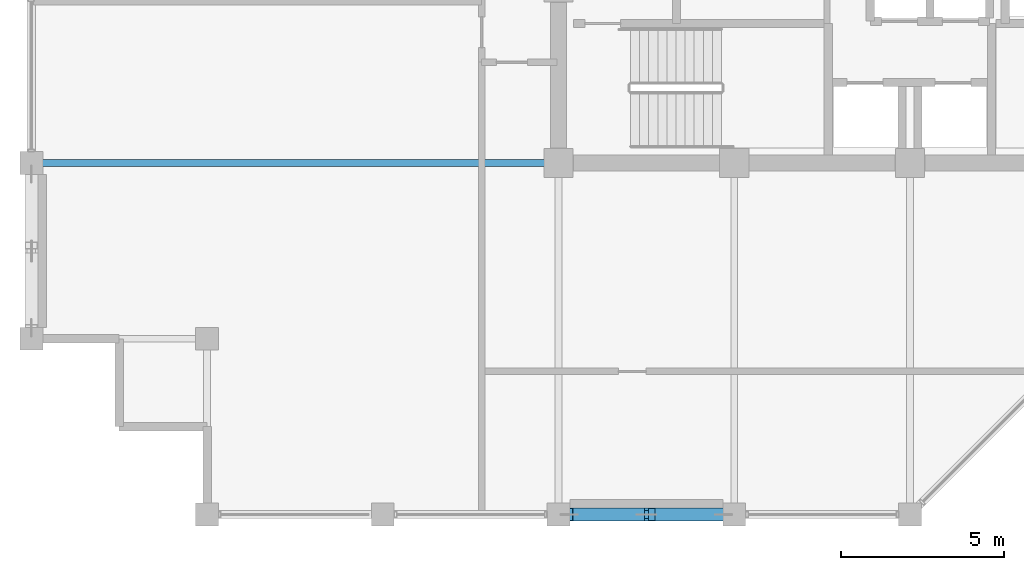
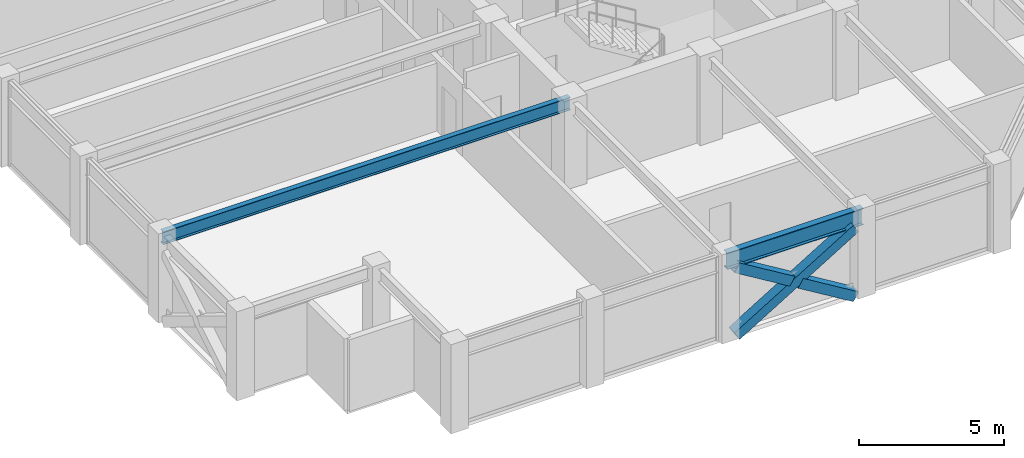
# One storey, part 5 of 30: 3 members, 2 beams.
"""IFC4 building model written with IfcOpenShell, lengths in metres."""

import ifcopenshell
import ifcopenshell.guid

model = None  # the IFC model being written
_history = None  # IfcOwnerHistory: only IFC2X3 demands one
_inside = {}  # id of a spatial element -> (the spatial element, [elements in it])
_under = {}  # id of a project, library or spatial element -> (it, [spatial elements below it])
_declared = {}  # id of a project -> (the project, [libraries it declares])
_typed = {}  # id of a type object -> (the type object, [elements of that type])
_made_of = {}  # id of a material, layer set ... -> (it, [elements and type objects made of it])


def new_model(schema):
    """Start an empty IFC model of exactly this schema.

    Asked for "IFC4X3", IfcOpenShell would pick the latest addendum, in which some entities
    have other attributes; the version numbers below select the first issue.
    IFC2X3 requires an IfcOwnerHistory on every rooted entity: one is made here for all.
    """
    global model, _history
    if schema == "IFC4X3":
        model = ifcopenshell.file(schema_version=(4, 3, 0, 0))
    else:
        model = ifcopenshell.file(schema=schema)
    _inside.clear()
    _under.clear()
    _declared.clear()
    _typed.clear()
    _made_of.clear()
    _history = None
    if model.schema == "IFC2X3":
        org = make("IfcOrganization", Name="unknown")
        user = make(
            "IfcPersonAndOrganization",
            ThePerson=make("IfcPerson", FamilyName="unknown"),
            TheOrganization=org,
        )
        app = make(
            "IfcApplication",
            ApplicationDeveloper=org,
            Version="unknown",
            ApplicationFullName="unknown",
            ApplicationIdentifier="unknown",
        )
        _history = make(
            "IfcOwnerHistory",
            OwningUser=user,
            OwningApplication=app,
            ChangeAction="ADDED",
            CreationDate=0,
        )
    return model


def make(cls, **values):
    """One entity of the class cls with the attributes given. An attribute that is None is left unset."""
    return model.create_entity(
        cls, **{name: value for name, value in values.items() if value is not None}
    )


def rooted(cls, **values):
    """An entity with a GlobalId (a new one), such as an element, a storey or a relation."""
    return make(cls, GlobalId=ifcopenshell.guid.new(), OwnerHistory=_history, **values)


def si_unit(unit_type, name, prefix=None):
    """IfcSIUnit, for example si_unit("LENGTHUNIT", "METRE", prefix="MILLI")."""
    return make("IfcSIUnit", UnitType=unit_type, Prefix=prefix, Name=name)


def assignment(units):
    """IfcUnitAssignment: the units of a project."""
    return None if units is None else make("IfcUnitAssignment", Units=units)


def point(xyz):
    """IfcCartesianPoint."""
    return None if xyz is None else make("IfcCartesianPoint", Coordinates=xyz)


def direction(xyz):
    """IfcDirection."""
    return None if xyz is None else make("IfcDirection", DirectionRatios=xyz)


def frame(location, z_axis=None, x_axis=None):
    """IfcAxis2Placement3D, a coordinate frame: its origin and axes. An axis left out is left unset."""
    return make(
        "IfcAxis2Placement3D",
        Location=point(location),
        Axis=direction(z_axis),
        RefDirection=direction(x_axis),
    )


def frame_2d(location, x_axis=None):
    """IfcAxis2Placement2D, a coordinate frame in the plane: its origin and x axis."""
    return make(
        "IfcAxis2Placement2D", Location=point(location), RefDirection=direction(x_axis)
    )


def origin():
    """The frame at (0, 0, 0) with its axes left unset."""
    return frame((0.0, 0.0, 0.0))


def origin_2d():
    """The frame at (0, 0) in the plane with its x axis left unset."""
    return frame_2d((0.0, 0.0))


def place(relative_to, where):
    """IfcLocalPlacement: puts the frame where relative to a parent placement (None: the world)."""
    return make(
        "IfcLocalPlacement", PlacementRelTo=relative_to, RelativePlacement=where
    )


def context(
    kind, dimensions, precision=None, world=None, true_north=None, identifier=None
):
    """IfcGeometricRepresentationContext, for example the 3D "Model" context."""
    return make(
        "IfcGeometricRepresentationContext",
        ContextIdentifier=identifier,
        ContextType=kind,
        CoordinateSpaceDimension=dimensions,
        Precision=precision,
        WorldCoordinateSystem=world,
        TrueNorth=true_north,
    )


def subcontext(parent, identifier, kind, view, scale=None):
    """IfcGeometricRepresentationSubContext, for example "Body" below "Model"."""
    return make(
        "IfcGeometricRepresentationSubContext",
        ContextIdentifier=identifier,
        ContextType=kind,
        ParentContext=parent,
        TargetScale=scale,
        TargetView=view,
    )


def project(units=None, contexts=None):
    """IfcProject with its units and contexts."""
    return rooted(
        "IfcProject",
        Name="project",
        RepresentationContexts=contexts,
        UnitsInContext=assignment(units),
    )


def spatial(cls, under=None, at=None, **own):
    """A site, building, storey or space (cls), placed at a placement, below another one or the project."""
    s = rooted(cls, ObjectPlacement=at, **own)
    if under is not None:
        _under.setdefault(under.id(), (under, []))[1].append(s)
    return s


def profile(cls, at=None, kind="AREA", **sizes):
    """A parametric profile (cls). Its sizes go by their IFC names, for example OverallWidth=200.0."""
    return make(cls, ProfileType=kind, Position=at, **sizes)


def hollow_rectangle(**sizes):
    """IfcRectangleHollowProfileDef."""
    return profile("IfcRectangleHollowProfileDef", **sizes)


def i_section(**sizes):
    """IfcIShapeProfileDef."""
    return profile("IfcIShapeProfileDef", **sizes)


def extrude(swept, where, along, depth):
    """IfcExtrudedAreaSolid: the profile swept, set in the frame where, extruded along a direction by depth."""
    return make(
        "IfcExtrudedAreaSolid",
        SweptArea=swept,
        Position=where,
        ExtrudedDirection=direction(along),
        Depth=depth,
    )


def shape(context_of_items, identifier, shape_type, items):
    """IfcShapeRepresentation: the items that make up one representation, for example the "Body"."""
    return make(
        "IfcShapeRepresentation",
        ContextOfItems=context_of_items,
        RepresentationIdentifier=identifier,
        RepresentationType=shape_type,
        Items=items,
    )


def material(Name=None, Category=None):
    """IfcMaterial."""
    return make("IfcMaterial", Name=Name, Category=Category)


def material_profile(
    of_material, cross_section, Name=None, Category=None, Priority=None
):
    """IfcMaterialProfile: a cross section and its material."""
    return make(
        "IfcMaterialProfile",
        Name=Name,
        Material=of_material,
        Profile=cross_section,
        Priority=Priority,
        Category=Category,
    )


def profile_set(profiles, Name=None, composite=None):
    """IfcMaterialProfileSet."""
    return make(
        "IfcMaterialProfileSet",
        Name=Name,
        MaterialProfiles=profiles,
        CompositeProfile=composite,
    )


def made_of(thing, what):
    """Note that an element or type object is made of a material, layer set ...; save() writes the relation."""
    if what is not None:
        _made_of.setdefault(what.id(), (what, []))[1].append(thing)
    return thing


def type_object(cls, material=None, **own):
    """A type object (cls), such as IfcWallType, which elements share."""
    return made_of(rooted(cls, **own), material)


def element(
    cls,
    number,
    at=None,
    inside=None,
    cuts=None,
    type_object=None,
    material=None,
    context=None,
    identifier="Body",
    shape_type=None,
    held_by="IfcProductDefinitionShape",
    body=None,
    shapes=None,
    **own,
):
    """One element of the class cls, such as IfcWall. Its Tag is "e" and its number.

    at: its placement. inside: the storey or other place that contains it. cuts: it is an
    opening in that element (IfcRelVoidsElement). A single representation is given by context,
    identifier, shape_type and body (its items); several are given by shapes. held_by: the class
    of the entity that holds the representations. save() writes the other relations.
    """
    e = rooted(cls, Tag="e%d" % number, ObjectPlacement=at, **own)
    if body is not None:
        shapes = [shape(context, identifier, shape_type, body)]
    if shapes is not None:
        e.Representation = make(held_by, Representations=shapes)
    if inside is not None:
        _inside.setdefault(inside.id(), (inside, []))[1].append(e)
    if cuts is not None:
        rooted(
            "IfcRelVoidsElement", RelatingBuildingElement=cuts, RelatedOpeningElement=e
        )
    if type_object is not None:
        _typed.setdefault(type_object.id(), (type_object, []))[1].append(e)
    return made_of(e, material)


def aggregate(whole, parts):
    """IfcRelAggregates: a whole, such as a stair, and the parts it consists of."""
    return rooted("IfcRelAggregates", RelatingObject=whole, RelatedObjects=parts)


def save(model, path):
    """Write the relations noted so far, then the file.

    IfcRelAggregates (storeys below a building ...), IfcRelContainedInSpatialStructure (elements
    in a storey), IfcRelDefinesByType, IfcRelAssociatesMaterial and IfcRelDeclares: one each for
    every whole, place, type object, material and project.
    """
    for whole, parts in _under.values():
        aggregate(whole, parts)
    for where, things in _inside.values():
        rooted(
            "IfcRelContainedInSpatialStructure",
            RelatedElements=things,
            RelatingStructure=where,
        )
    for kind, things in _typed.values():
        rooted("IfcRelDefinesByType", RelatedObjects=things, RelatingType=kind)
    for what, things in _made_of.values():
        rooted("IfcRelAssociatesMaterial", RelatedObjects=things, RelatingMaterial=what)
    for by, libraries in _declared.values():
        rooted("IfcRelDeclares", RelatingContext=by, RelatedDefinitions=libraries)
    model.write(path)


model = new_model("IFC4")

# Units and contexts
model_context = context("Model", 3, precision=1e-05, world=origin(), true_north=direction((0.0, 1.0)))
body_context = subcontext(model_context, "Body", "Model", "MODEL_VIEW")
ifc_project = project(units=[si_unit("LENGTHUNIT", "METRE"), si_unit("AREAUNIT", "SQUARE_METRE"), si_unit("VOLUMEUNIT", "CUBIC_METRE"), si_unit("PLANEANGLEUNIT", "RADIAN"), si_unit("MASSUNIT", "GRAM", prefix="KILO")], contexts=[model_context])

# Site, building, storey
site_placement = place(None, origin())
site = spatial("IfcSite", under=ifc_project, at=site_placement, CompositionType="ELEMENT")
building_placement = place(site_placement, origin())
building = spatial("IfcBuilding", under=site, at=building_placement, Name="Surkhivell Harbour Commons", CompositionType="ELEMENT")
storey_placement = place(building_placement, frame((0.0, 0.0, 300.0)))
storey = spatial("IfcBuildingStorey", under=building, at=storey_placement, Name="L78", CompositionType="ELEMENT", Elevation=300.0)

# Beams
ifc_material_1 = material(Name="Steel S355", Category="steel")
ifc_material_profile_1 = material_profile(ifc_material_1, i_section(OverallWidth=0.2099609375, OverallDepth=0.537109375, WebThickness=0.0107421875, FlangeThickness=0.017333984375, at=origin_2d()), Name="UB533x210x101")
ifc_profile_set_1 = profile_set([ifc_material_profile_1], Name="Steel S355")
beam_type_1 = type_object("IfcBeamType", Name="BM-GRD-533B", PredefinedType="BEAM", material=ifc_profile_set_1)
beam_1_placement = place(storey_placement, frame((-27.0, -10.800048828125, 3.301513671875), z_axis=(1.0, 0.0, 0.0), x_axis=(0.0, 1.0, 0.0)))
element("IfcBeam", 1, at=beam_1_placement, inside=storey, type_object=beam_type_1, Name="L78 Floor Girder (-27.0,-10.8)", PredefinedType="BEAM", context=body_context, shape_type="SweptSolid", body=[
    extrude(i_section(OverallWidth=0.2099609375, OverallDepth=0.537109375, WebThickness=0.0107421875, FlangeThickness=0.017333984375, at=origin_2d()), origin(), (0.0, 0.0, 1.0), 16.199951171875),
])
ifc_material_profile_2 = material_profile(ifc_material_1, i_section(OverallWidth=0.256103515625, OverallDepth=0.693115234375, WebThickness=0.014404296875, FlangeThickness=0.023681640625, at=origin_2d()), Name="UB686x254x170")
ifc_profile_set_2 = profile_set([ifc_material_profile_2], Name="Steel S355")
beam_type_2 = type_object("IfcBeamType", Name="BM-SPN-686", PredefinedType="SPANDREL", material=ifc_profile_set_2)
beam_2_placement = place(storey_placement, frame((-10.800048828125, -21.60009765625, 3.223388671875), z_axis=(1.0, 0.0, 0.0), x_axis=(0.0, 1.0, 0.0)))
element("IfcBeam", 2, at=beam_2_placement, inside=storey, type_object=beam_type_2, Name="L78 Tube Spandrel (-10.8,-21.6)", PredefinedType="SPANDREL", context=body_context, shape_type="SweptSolid", body=[
    extrude(i_section(OverallWidth=0.256103515625, OverallDepth=0.693115234375, WebThickness=0.014404296875, FlangeThickness=0.023681640625, at=origin_2d()), origin(), (0.0, 0.0, 1.0), 5.400146484375),
])

# Members
ifc_material_2 = material(Name="Steel S460", Category="steel")
ifc_material_profile_3 = material_profile(ifc_material_2, hollow_rectangle(XDim=0.39990234375, YDim=0.39990234375, WallThickness=0.02001953125, at=origin_2d()), Name="SHS400x400x20")
ifc_profile_set_3 = profile_set([ifc_material_profile_3], Name="Steel S460")
member_type = type_object("IfcMemberType", Name="MEM-BRC-SHS400", PredefinedType="BRACE", material=ifc_profile_set_3)
member_1_placement = place(storey_placement, frame((-10.465087890625, -21.60009765625, 0.008056640625), z_axis=(0.854685454322, 0.0, 0.519146197299), x_axis=(0.0, 1.0, 0.0)))
element("IfcMember", 3, at=member_1_placement, inside=storey, type_object=member_type, Name="L78 Perimeter Mega-Brace MB- 07", PredefinedType="BRACE", context=body_context, shape_type="SweptSolid", body=[
    extrude(hollow_rectangle(XDim=0.39990234375, YDim=0.39990234375, WallThickness=0.02001953125, at=origin_2d()), origin(), (0.0, 0.0, 1.0), 5.5341796875),
])
member_2_placement = place(storey_placement, frame((-5.735107421875, -21.60009765625, 0.008056640625), z_axis=(-0.854694361898, 0.0, 0.519131532215), x_axis=(0.0, -1.0, 0.0)))
element("IfcMember", 4, at=member_2_placement, inside=storey, type_object=member_type, Name="L78 Perimeter Mega-Brace MB- 08", PredefinedType="BRACE", context=body_context, shape_type="SweptSolid", body=[
    extrude(hollow_rectangle(XDim=0.39990234375, YDim=0.39990234375, WallThickness=0.02001953125, at=origin_2d()), origin(), (0.0, 0.0, 1.0), 2.57470703125),
])
member_3_placement = place(storey_placement, frame((-8.26416015625, -21.60009765625, 1.544189453125), z_axis=(-0.854677846108, 0.0, 0.519158722716), x_axis=(0.0, -1.0, 0.0)))
element("IfcMember", 5, at=member_3_placement, inside=storey, type_object=member_type, Name="L78 Perimeter Mega-Brace MB- 09", PredefinedType="BRACE", context=body_context, shape_type="SweptSolid", body=[
    extrude(hollow_rectangle(XDim=0.39990234375, YDim=0.39990234375, WallThickness=0.02001953125, at=origin_2d()), origin(), (0.0, 0.0, 1.0), 2.5751953125),
])

save(model, "model.ifc")
